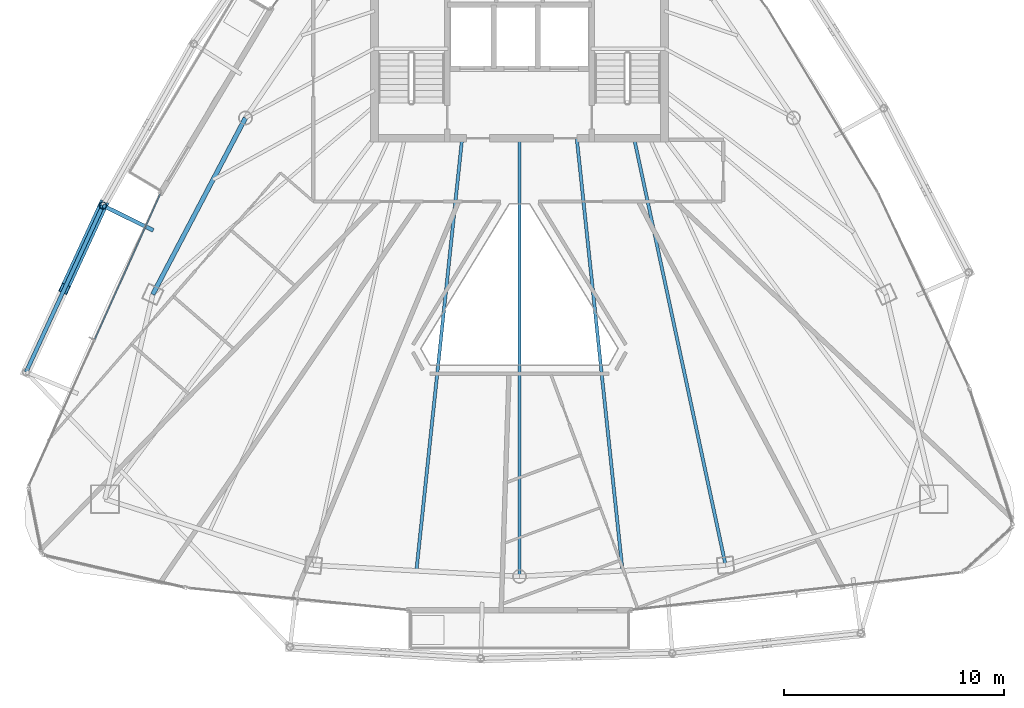
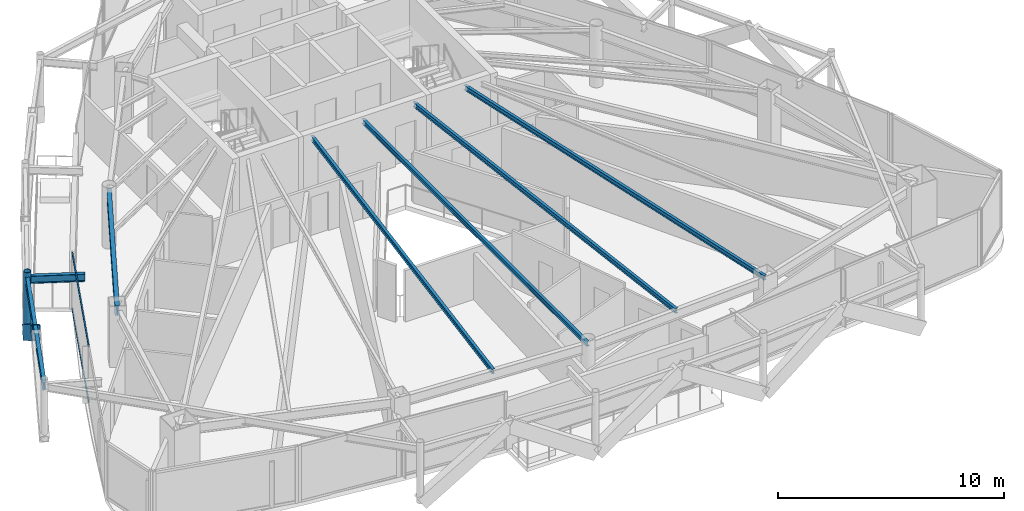
# One storey, part 9 of 30: 7 beams, 4 members, 1 element without a shape of its own.
"""IFC4 building model written with IfcOpenShell, lengths in metres."""

from ifc_helpers import new_model, si_unit, direction, frame, origin, origin_2d, place, context, subcontext, project, spatial, hollow_rectangle, hollow_circle, i_section, extrude, material, layer, layer_set, material_profile, profile_set, type_object, element, aggregate, save


model = new_model("IFC4")

# Units and contexts
model_context = context("Model", 3, precision=1e-05, world=origin(), true_north=direction((0.0, 1.0)))
body_context = subcontext(model_context, "Body", "Model", "MODEL_VIEW")
ifc_project = project(units=[si_unit("LENGTHUNIT", "METRE"), si_unit("AREAUNIT", "SQUARE_METRE"), si_unit("VOLUMEUNIT", "CUBIC_METRE"), si_unit("PLANEANGLEUNIT", "RADIAN"), si_unit("MASSUNIT", "GRAM", prefix="KILO")], contexts=[model_context])

# Site, building, storey
site_placement = place(None, origin())
site = spatial("IfcSite", under=ifc_project, at=site_placement, CompositionType="ELEMENT")
building_placement = place(site_placement, origin())
building = spatial("IfcBuilding", under=site, at=building_placement, Name="Orvanel Arch Residences", CompositionType="ELEMENT")
storey_placement = place(building_placement, frame((0.0, 0.0, 240.35009765625)))
storey = spatial("IfcBuildingStorey", under=building, at=storey_placement, Name="L68", CompositionType="ELEMENT", Elevation=240.35009765625)

# Beams
ifc_material_1 = material(Name="Structural steel AS/NZS 3679.1 Grade 300 (300 MPa)", Category="steel")
ifc_material_profile_1 = material_profile(ifc_material_1, i_section(OverallWidth=0.14599609375, OverallDepth=0.251953125, WebThickness=0.006103515625, FlangeThickness=0.008544921875, at=origin_2d()), Name="250UB31.4")
ifc_profile_set_1 = profile_set([ifc_material_profile_1], Name="Structural steel AS/NZS 3679.1 Grade 300 (300 MPa)")
beam_type_1 = type_object("IfcBeamType", Name="BJ-250UB", PredefinedType="JOIST", material=ifc_profile_set_1)
beam_1_placement = place(storey_placement, frame((38.199951171875, 26.72509765625, 2.933837890625), z_axis=(0.209547604985, -0.977798446125, 0.0), x_axis=(0.977798446125, 0.209547604985, 0.0)))
element("IfcBeam", 1, at=beam_1_placement, inside=storey, type_object=beam_type_1, Name="L68 SE Wing Floor Joist", PredefinedType="JOIST", context=body_context, shape_type="SweptSolid", body=[
    extrude(i_section(OverallWidth=0.14599609375, OverallDepth=0.251953125, WebThickness=0.006103515625, FlangeThickness=0.008544921875, at=origin_2d()), origin(), (0.0, 0.0, 1.0), 19.809814453125),
])
beam_2_placement = place(storey_placement, frame((33.0, 26.72509765625, 2.933837890625), z_axis=(0.0, -1.0, 0.0), x_axis=(1.0, 0.0, 0.0)))
element("IfcBeam", 2, at=beam_2_placement, inside=storey, type_object=beam_type_1, Name="L68 SSW Wing Floor Joist", PredefinedType="JOIST", context=body_context, shape_type="SweptSolid", body=[
    extrude(i_section(OverallWidth=0.14599609375, OverallDepth=0.251953125, WebThickness=0.006103515625, FlangeThickness=0.008544921875, at=origin_2d()), origin(), (0.0, 0.0, 1.0), 19.881103515625),
])
for number, where, z_axis, x_axis, name in (
    (3, (30.39990234375, 26.72509765625, 2.933837890625), (-0.105143936131, -0.994457014, 0.0), (0.994457014, -0.105143936131, 0.0), "L68 WSW2 Wing Floor Joist"),
    (4, (35.60009765625, 26.72509765625, 2.933837890625), (0.105143936131, -0.994457014, 0.0), (0.994457014, 0.105143936131, 0.0), "L68 ESE2 Wing Floor Joist"),
):
    element("IfcBeam", number, at=place(storey_placement, frame(where, z_axis=z_axis, x_axis=x_axis)), inside=storey, type_object=beam_type_1, Name=name, PredefinedType="JOIST", context=body_context, shape_type="SweptSolid", body=[
        extrude(i_section(OverallWidth=0.14599609375, OverallDepth=0.251953125, WebThickness=0.006103515625, FlangeThickness=0.008544921875, at=origin_2d()), origin(), (0.0, 0.0, 1.0), 19.734375),
    ])

# Member
ifc_material_2 = material(Name="Structural steel AS/NZS 3678 Grade 350", Category="steel")
ifc_material_profile_2 = material_profile(ifc_material_2, hollow_rectangle(XDim=0.419921875, YDim=0.719970703125, WallThickness=0.02490234375, at=origin_2d()), Name="RHS720x420x25")
ifc_profile_set_2 = profile_set([ifc_material_profile_2], Name="Structural steel AS/NZS 3678 Grade 350")
member_type_1 = type_object("IfcMemberType", Name="BR-720RHS-EXT", PredefinedType="BRACE", material=ifc_profile_set_2)
member_1_placement = place(storey_placement, frame((14.10302734375, 23.6669921875, 0.0), z_axis=(-0.345269795991, -0.748415229825, 0.566271500027), x_axis=(0.908029825295, -0.418905522015, 0.0)))
element("IfcMember", 5, at=member_1_placement, inside=storey, type_object=member_type_1, Name="L68 Exterior Sky-Garden V-Frame Chevron F1B3.1", PredefinedType="BRACE", context=body_context, shape_type="SweptSolid", body=[
    extrude(hollow_rectangle(XDim=0.419921875, YDim=0.719970703125, WallThickness=0.02490234375, at=origin_2d()), origin(), (0.0, 0.0, 1.0), 5.045166015625),
])

# Beams
ifc_material_profile_3 = material_profile(ifc_material_1, i_section(OverallWidth=0.177978515625, OverallDepth=0.406005859375, WebThickness=0.0078125, FlangeThickness=0.0126953125, at=origin_2d()), Name="410UB59.7")
ifc_profile_set_3 = profile_set([ifc_material_profile_3], Name="Structural steel AS/NZS 3679.1 Grade 300 (300 MPa)")
beam_type_2 = type_object("IfcBeamType", Name="OB-410UB-EXT", PredefinedType="SPANDREL", material=ifc_profile_set_3)
beam_3_placement = place(storey_placement, frame((16.39111328125, 22.541015625, 2.85693359375), z_axis=(-0.897243036385, 0.441537012784, 0.0), x_axis=(-0.441537012784, -0.897243036385, 0.0)))
element("IfcBeam", 6, at=beam_3_placement, inside=storey, type_object=beam_type_2, Name="L68 Outer Frame Radial Tie Beam 03", PredefinedType="SPANDREL", context=body_context, shape_type="SweptSolid", body=[
    extrude(i_section(OverallWidth=0.177978515625, OverallDepth=0.406005859375, WebThickness=0.0078125, FlangeThickness=0.0126953125, at=origin_2d()), origin(), (0.0, 0.0, 1.0), 2.550048828125),
])
beam_4_placement = place(storey_placement, frame((14.10302734375, 23.6669921875, 2.85693359375), z_axis=(-0.418918559479, -0.908023810549, 0.0), x_axis=(0.908023810549, -0.418918559479, 0.0)))
element("IfcBeam", 7, at=beam_4_placement, inside=storey, type_object=beam_type_2, Name="L68 Outer Perimeter Floor Ring Beam 03", PredefinedType="SPANDREL", context=body_context, shape_type="SweptSolid", body=[
    extrude(i_section(OverallWidth=0.177978515625, OverallDepth=0.406005859375, WebThickness=0.0078125, FlangeThickness=0.0126953125, at=origin_2d()), origin(), (0.0, 0.0, 1.0), 8.31689453125),
])
ifc_material_profile_4 = material_profile(ifc_material_1, i_section(OverallWidth=0.208984375, OverallDepth=0.532958984375, WebThickness=0.01025390625, FlangeThickness=0.015625, at=origin_2d()), Name="530UB92.4")
ifc_profile_set_4 = profile_set([ifc_material_profile_4], Name="Structural steel AS/NZS 3679.1 Grade 300 (300 MPa)")
beam_type_3 = type_object("IfcBeamType", Name="SP-530UB", PredefinedType="SPANDREL", material=ifc_profile_set_4)
beam_5_placement = place(storey_placement, frame((20.569091796875, 27.64111328125, 2.79296875), z_axis=(-0.465064762793, -0.885276660942, 0.0), x_axis=(0.885276660942, -0.465064762793, 0.0)))
element("IfcBeam", 8, at=beam_5_placement, inside=storey, type_object=beam_type_3, Name="L68 Perimeter Spandrel Beam 12", PredefinedType="SPANDREL", context=body_context, shape_type="SweptSolid", body=[
    extrude(i_section(OverallWidth=0.208984375, OverallDepth=0.532958984375, WebThickness=0.01025390625, FlangeThickness=0.015625, at=origin_2d()), origin(), (0.0, 0.0, 1.0), 9.03564453125),
])

# Member
ifc_material_3 = material(Name="Structural steel AS/NZS 1163 C350L0 (Grade 350)", Category="steel")
ifc_material_profile_5 = material_profile(ifc_material_3, hollow_circle(Radius=0.162109375, WallThickness=0.0126953125, at=origin_2d()), Name="CHS324x12.7")
ifc_profile_set_5 = profile_set([ifc_material_profile_5], Name="Structural steel AS/NZS 1163 C350L0 (Grade 350)")
member_type_2 = type_object("IfcMemberType", Name="ST-324CHS-EXT", PredefinedType="STRUT", material=ifc_profile_set_5)
member_2_placement = place(storey_placement, frame((14.10302734375, 23.6669921875, 0.0), z_axis=(0.0, 0.0, 1.0), x_axis=(1.0, 0.0, 0.0)))
element("IfcMember", 9, at=member_2_placement, inside=storey, type_object=member_type_2, Name="L68 Outer Perimeter Frame Post 03", PredefinedType="STRUT", context=body_context, shape_type="SweptSolid", body=[
    extrude(hollow_circle(Radius=0.162109375, WallThickness=0.0126953125, at=origin_2d()), origin(), (0.0, 0.0, 1.0), 3.2998046875),
])

# Curtain wall, members
ifc_material_4 = material(Name="Bronze-anodised aluminium AA6063-T6", Category="aluminium")
ifc_layer = layer(ifc_material_4, 0.175048828125)
ifc_layer_set = layer_set([ifc_layer], Name="Bronze-anodised aluminium AA6063-T6")
curtain_wall_type = type_object("IfcCurtainWallType", Name="CW4-HI-SYS", PredefinedType="NOTDEFINED", material=ifc_layer_set)
curtain_wall_placement = place(storey_placement, origin())
curtain_wall = element("IfcCurtainWall", 10, at=curtain_wall_placement, inside=storey, type_object=curtain_wall_type, Name="L68 CW4-HI-SYS Unitised Curtain Wall", PredefinedType="NOTDEFINED")
ifc_material_profile_6 = material_profile(ifc_material_4, hollow_rectangle(XDim=0.06005859375, YDim=0.1201171875, WallThickness=0.00341796875, at=origin_2d()), Name="ALU120x60x3.5")
ifc_profile_set_6 = profile_set([ifc_material_profile_6], Name="Bronze-anodised aluminium AA6063-T6")
member_type_3 = type_object("IfcMemberType", Name="TRN-120x60", PredefinedType="USERDEFINED", material=ifc_profile_set_6)
member_3_placement = place(storey_placement, frame((16.7001953125, 24.1806640625, 0.02978515625), z_axis=(-0.410577324573, -0.911825784098, 0.0), x_axis=(0.911825784098, -0.410577324573, 0.0)))
member_3 = element("IfcMember", 11, at=member_3_placement, type_object=member_type_3, Name="CW-S4 transom 1.1", ObjectType="TRANSOM", PredefinedType="USERDEFINED", context=body_context, shape_type="SweptSolid", body=[
    extrude(hollow_rectangle(XDim=0.06005859375, YDim=0.1201171875, WallThickness=0.00341796875, at=origin_2d()), origin(), (0.0, 0.0, 1.0), 7.2080078125),
])
member_4_placement = place(storey_placement, frame((16.7001953125, 24.1806640625, 3.02978515625), z_axis=(-0.410577324573, -0.911825784098, 0.0), x_axis=(0.911825784098, -0.410577324573, 0.0)))
member_4 = element("IfcMember", 12, at=member_4_placement, type_object=member_type_3, Name="CW-S4 transom 1.2", ObjectType="TRANSOM", PredefinedType="USERDEFINED", context=body_context, shape_type="SweptSolid", body=[
    extrude(hollow_rectangle(XDim=0.06005859375, YDim=0.1201171875, WallThickness=0.00341796875, at=origin_2d()), origin(), (0.0, 0.0, 1.0), 7.2080078125),
])
aggregate(curtain_wall, [member_3, member_4])

save(model, "model.ifc")
